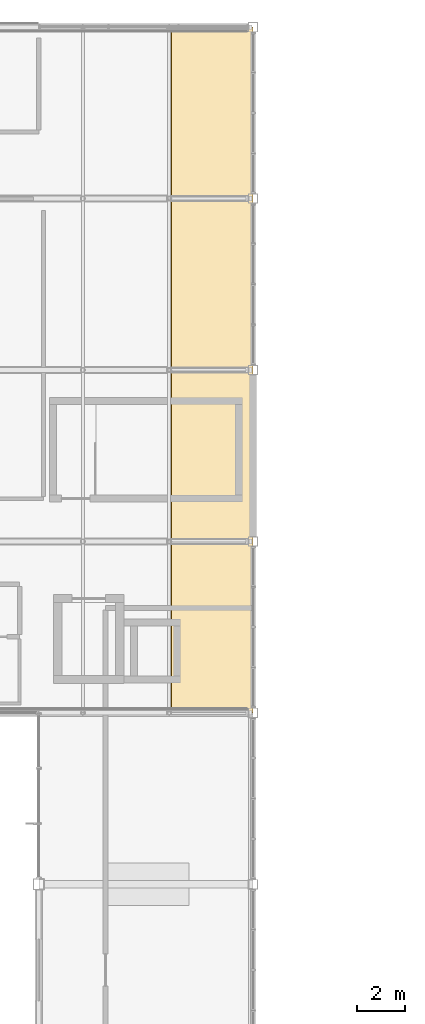
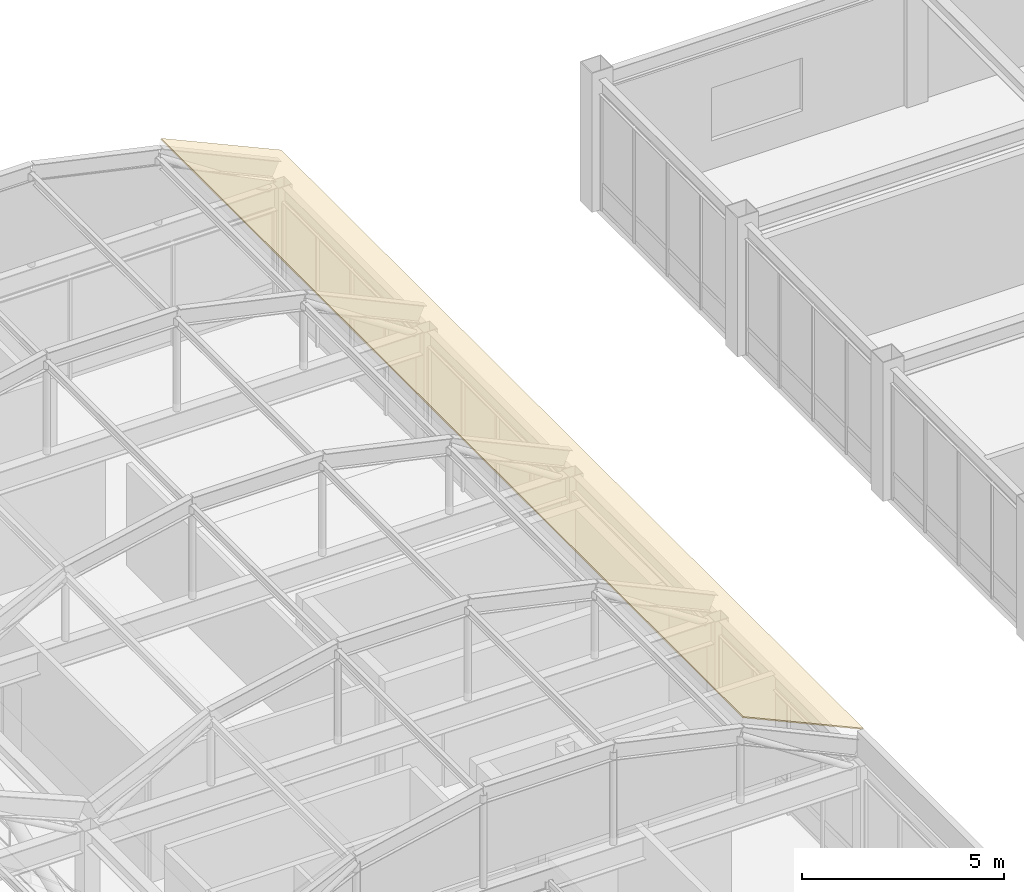
# One storey, part 103 of 106: 1 covering.
"""IFC4 building model written with IfcOpenShell, lengths in metres."""

from ifc_helpers import new_model, si_unit, direction, frame, origin, place, context, subcontext, project, spatial, polyline, outline, extrude, material, layer, layer_set, type_object, element, save


model = new_model("IFC4")

# Units and contexts
model_context = context("Model", 3, precision=1e-05, world=origin(), true_north=direction((0.0, 1.0)))
body_context = subcontext(model_context, "Body", "Model", "MODEL_VIEW")
ifc_project = project(units=[si_unit("LENGTHUNIT", "METRE"), si_unit("AREAUNIT", "SQUARE_METRE"), si_unit("VOLUMEUNIT", "CUBIC_METRE"), si_unit("PLANEANGLEUNIT", "RADIAN"), si_unit("MASSUNIT", "GRAM", prefix="KILO")], contexts=[model_context])

# Site, building, storey
site_placement = place(None, origin())
site = spatial("IfcSite", under=ifc_project, at=site_placement, CompositionType="ELEMENT")
building_placement = place(site_placement, origin())
building = spatial("IfcBuilding", under=site, at=building_placement, Name="Kazanami Central Library", CompositionType="ELEMENT")
storey_placement = place(building_placement, frame((0.0, 0.0, 12.800048828125)))
storey = spatial("IfcBuildingStorey", under=building, at=storey_placement, Name="L04", CompositionType="ELEMENT", Elevation=12.800048828125)

# Covering
ifc_material = material(Name="Standing-Seam Titanium Zinc")
ifc_layer = layer(ifc_material, 0.034912109375, Name="Standing-Seam Titanium Zinc")
ifc_layer_set = layer_set([ifc_layer], Name="Standing-Seam Titanium Zinc")
covering_type = type_object("IfcCoveringType", Name="COV-ZNC-35", PredefinedType="ROOFING", material=ifc_layer_set)
covering_placement = place(storey_placement, frame((104.5673828125, 64.800048828125, 6.310546875), z_axis=(0.412572474631, 0.0, 0.910924779099), x_axis=(0.910924779099, 0.0, -0.412572474631)))
element("IfcCovering", 1, at=covering_placement, inside=storey, type_object=covering_type, Name="Standing-Seam Zinc Barrel Vault Roofing VAULT-EAST Facet 5", PredefinedType="ROOFING", context=body_context, shape_type="SweptSolid", body=[
    extrude(outline(polyline([(0.0, 0.0), (3.768277322408299, 0.0), (3.768277322408299, 28.800048828125), (0.0, 28.800048828125), (0.0, 0.0)])), origin(), (0.0, 0.0, -1.0), 0.034912109375),
])

save(model, "model.ifc")
